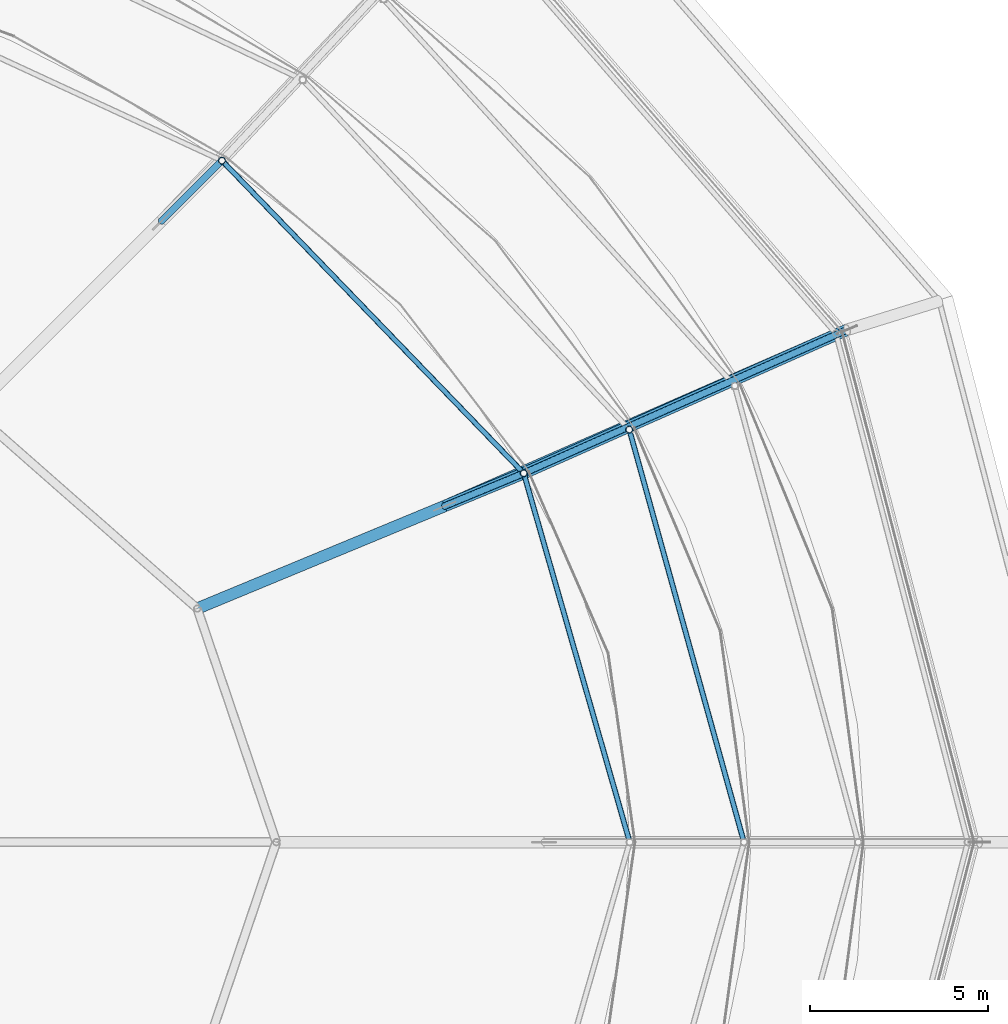
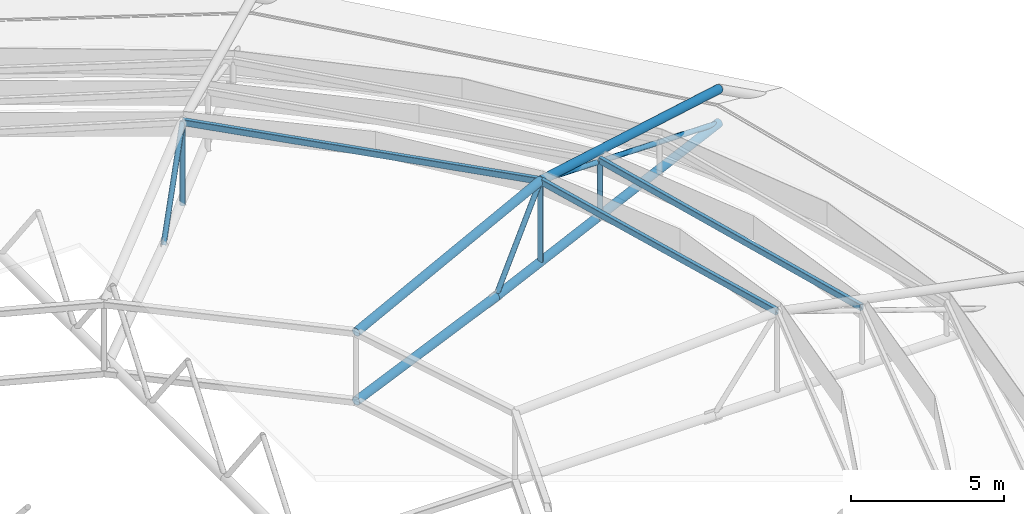
# One storey, part 37 of 134: 10 members, 3 beams.
"""IFC4 building model written with IfcOpenShell, lengths in metres."""

import ifcopenshell
import ifcopenshell.guid

model = None  # the IFC model being written
_history = None  # IfcOwnerHistory: only IFC2X3 demands one
_inside = {}  # id of a spatial element -> (the spatial element, [elements in it])
_under = {}  # id of a project, library or spatial element -> (it, [spatial elements below it])
_declared = {}  # id of a project -> (the project, [libraries it declares])
_typed = {}  # id of a type object -> (the type object, [elements of that type])
_made_of = {}  # id of a material, layer set ... -> (it, [elements and type objects made of it])


def new_model(schema):
    """Start an empty IFC model of exactly this schema.

    Asked for "IFC4X3", IfcOpenShell would pick the latest addendum, in which some entities
    have other attributes; the version numbers below select the first issue.
    IFC2X3 requires an IfcOwnerHistory on every rooted entity: one is made here for all.
    """
    global model, _history
    if schema == "IFC4X3":
        model = ifcopenshell.file(schema_version=(4, 3, 0, 0))
    else:
        model = ifcopenshell.file(schema=schema)
    _inside.clear()
    _under.clear()
    _declared.clear()
    _typed.clear()
    _made_of.clear()
    _history = None
    if model.schema == "IFC2X3":
        org = make("IfcOrganization", Name="unknown")
        user = make(
            "IfcPersonAndOrganization",
            ThePerson=make("IfcPerson", FamilyName="unknown"),
            TheOrganization=org,
        )
        app = make(
            "IfcApplication",
            ApplicationDeveloper=org,
            Version="unknown",
            ApplicationFullName="unknown",
            ApplicationIdentifier="unknown",
        )
        _history = make(
            "IfcOwnerHistory",
            OwningUser=user,
            OwningApplication=app,
            ChangeAction="ADDED",
            CreationDate=0,
        )
    return model


def make(cls, **values):
    """One entity of the class cls with the attributes given. An attribute that is None is left unset."""
    return model.create_entity(
        cls, **{name: value for name, value in values.items() if value is not None}
    )


def rooted(cls, **values):
    """An entity with a GlobalId (a new one), such as an element, a storey or a relation."""
    return make(cls, GlobalId=ifcopenshell.guid.new(), OwnerHistory=_history, **values)


def si_unit(unit_type, name, prefix=None):
    """IfcSIUnit, for example si_unit("LENGTHUNIT", "METRE", prefix="MILLI")."""
    return make("IfcSIUnit", UnitType=unit_type, Prefix=prefix, Name=name)


def derived_unit(unit_type, elements):
    """IfcDerivedUnit: a product of units, each with its exponent."""
    return make(
        "IfcDerivedUnit",
        Elements=[
            make("IfcDerivedUnitElement", Unit=unit, Exponent=power)
            for unit, power in elements
        ],
        UnitType=unit_type,
    )


def assignment(units):
    """IfcUnitAssignment: the units of a project."""
    return None if units is None else make("IfcUnitAssignment", Units=units)


def point(xyz):
    """IfcCartesianPoint."""
    return None if xyz is None else make("IfcCartesianPoint", Coordinates=xyz)


def direction(xyz):
    """IfcDirection."""
    return None if xyz is None else make("IfcDirection", DirectionRatios=xyz)


def frame(location, z_axis=None, x_axis=None):
    """IfcAxis2Placement3D, a coordinate frame: its origin and axes. An axis left out is left unset."""
    return make(
        "IfcAxis2Placement3D",
        Location=point(location),
        Axis=direction(z_axis),
        RefDirection=direction(x_axis),
    )


def frame_2d(location, x_axis=None):
    """IfcAxis2Placement2D, a coordinate frame in the plane: its origin and x axis."""
    return make(
        "IfcAxis2Placement2D", Location=point(location), RefDirection=direction(x_axis)
    )


def origin():
    """The frame at (0, 0, 0) with its axes left unset."""
    return frame((0.0, 0.0, 0.0))


def origin_2d():
    """The frame at (0, 0) in the plane with its x axis left unset."""
    return frame_2d((0.0, 0.0))


def place(relative_to, where):
    """IfcLocalPlacement: puts the frame where relative to a parent placement (None: the world)."""
    return make(
        "IfcLocalPlacement", PlacementRelTo=relative_to, RelativePlacement=where
    )


def context(
    kind, dimensions, precision=None, world=None, true_north=None, identifier=None
):
    """IfcGeometricRepresentationContext, for example the 3D "Model" context."""
    return make(
        "IfcGeometricRepresentationContext",
        ContextIdentifier=identifier,
        ContextType=kind,
        CoordinateSpaceDimension=dimensions,
        Precision=precision,
        WorldCoordinateSystem=world,
        TrueNorth=true_north,
    )


def subcontext(parent, identifier, kind, view, scale=None):
    """IfcGeometricRepresentationSubContext, for example "Body" below "Model"."""
    return make(
        "IfcGeometricRepresentationSubContext",
        ContextIdentifier=identifier,
        ContextType=kind,
        ParentContext=parent,
        TargetScale=scale,
        TargetView=view,
    )


def project(units=None, contexts=None):
    """IfcProject with its units and contexts."""
    return rooted(
        "IfcProject",
        Name="project",
        RepresentationContexts=contexts,
        UnitsInContext=assignment(units),
    )


def spatial(cls, under=None, at=None, **own):
    """A site, building, storey or space (cls), placed at a placement, below another one or the project."""
    s = rooted(cls, ObjectPlacement=at, **own)
    if under is not None:
        _under.setdefault(under.id(), (under, []))[1].append(s)
    return s


def profile(cls, at=None, kind="AREA", **sizes):
    """A parametric profile (cls). Its sizes go by their IFC names, for example OverallWidth=200.0."""
    return make(cls, ProfileType=kind, Position=at, **sizes)


def hollow_rectangle(**sizes):
    """IfcRectangleHollowProfileDef."""
    return profile("IfcRectangleHollowProfileDef", **sizes)


def hollow_circle(**sizes):
    """IfcCircleHollowProfileDef."""
    return profile("IfcCircleHollowProfileDef", **sizes)


def extrude(swept, where, along, depth):
    """IfcExtrudedAreaSolid: the profile swept, set in the frame where, extruded along a direction by depth."""
    return make(
        "IfcExtrudedAreaSolid",
        SweptArea=swept,
        Position=where,
        ExtrudedDirection=direction(along),
        Depth=depth,
    )


def shape(context_of_items, identifier, shape_type, items):
    """IfcShapeRepresentation: the items that make up one representation, for example the "Body"."""
    return make(
        "IfcShapeRepresentation",
        ContextOfItems=context_of_items,
        RepresentationIdentifier=identifier,
        RepresentationType=shape_type,
        Items=items,
    )


def material(Name=None, Category=None):
    """IfcMaterial."""
    return make("IfcMaterial", Name=Name, Category=Category)


def material_profile(
    of_material, cross_section, Name=None, Category=None, Priority=None
):
    """IfcMaterialProfile: a cross section and its material."""
    return make(
        "IfcMaterialProfile",
        Name=Name,
        Material=of_material,
        Profile=cross_section,
        Priority=Priority,
        Category=Category,
    )


def profile_set(profiles, Name=None, composite=None):
    """IfcMaterialProfileSet."""
    return make(
        "IfcMaterialProfileSet",
        Name=Name,
        MaterialProfiles=profiles,
        CompositeProfile=composite,
    )


def made_of(thing, what):
    """Note that an element or type object is made of a material, layer set ...; save() writes the relation."""
    if what is not None:
        _made_of.setdefault(what.id(), (what, []))[1].append(thing)
    return thing


def type_object(cls, material=None, **own):
    """A type object (cls), such as IfcWallType, which elements share."""
    return made_of(rooted(cls, **own), material)


def element(
    cls,
    number,
    at=None,
    inside=None,
    cuts=None,
    type_object=None,
    material=None,
    context=None,
    identifier="Body",
    shape_type=None,
    held_by="IfcProductDefinitionShape",
    body=None,
    shapes=None,
    **own,
):
    """One element of the class cls, such as IfcWall. Its Tag is "e" and its number.

    at: its placement. inside: the storey or other place that contains it. cuts: it is an
    opening in that element (IfcRelVoidsElement). A single representation is given by context,
    identifier, shape_type and body (its items); several are given by shapes. held_by: the class
    of the entity that holds the representations. save() writes the other relations.
    """
    e = rooted(cls, Tag="e%d" % number, ObjectPlacement=at, **own)
    if body is not None:
        shapes = [shape(context, identifier, shape_type, body)]
    if shapes is not None:
        e.Representation = make(held_by, Representations=shapes)
    if inside is not None:
        _inside.setdefault(inside.id(), (inside, []))[1].append(e)
    if cuts is not None:
        rooted(
            "IfcRelVoidsElement", RelatingBuildingElement=cuts, RelatedOpeningElement=e
        )
    if type_object is not None:
        _typed.setdefault(type_object.id(), (type_object, []))[1].append(e)
    return made_of(e, material)


def aggregate(whole, parts):
    """IfcRelAggregates: a whole, such as a stair, and the parts it consists of."""
    return rooted("IfcRelAggregates", RelatingObject=whole, RelatedObjects=parts)


def save(model, path):
    """Write the relations noted so far, then the file.

    IfcRelAggregates (storeys below a building ...), IfcRelContainedInSpatialStructure (elements
    in a storey), IfcRelDefinesByType, IfcRelAssociatesMaterial and IfcRelDeclares: one each for
    every whole, place, type object, material and project.
    """
    for whole, parts in _under.values():
        aggregate(whole, parts)
    for where, things in _inside.values():
        rooted(
            "IfcRelContainedInSpatialStructure",
            RelatedElements=things,
            RelatingStructure=where,
        )
    for kind, things in _typed.values():
        rooted("IfcRelDefinesByType", RelatedObjects=things, RelatingType=kind)
    for what, things in _made_of.values():
        rooted("IfcRelAssociatesMaterial", RelatedObjects=things, RelatingMaterial=what)
    for by, libraries in _declared.values():
        rooted("IfcRelDeclares", RelatingContext=by, RelatedDefinitions=libraries)
    model.write(path)


model = new_model("IFC4")

# Units and contexts
model_context = context("Model", 3, precision=1e-05, world=origin(), true_north=direction((0.0, 1.0)))
body_context = subcontext(model_context, "Body", "Model", "MODEL_VIEW")
ifc_project = project(units=[si_unit("LENGTHUNIT", "METRE"), si_unit("AREAUNIT", "SQUARE_METRE"), si_unit("VOLUMEUNIT", "CUBIC_METRE"), si_unit("PLANEANGLEUNIT", "RADIAN"), si_unit("MASSUNIT", "GRAM", prefix="KILO"), derived_unit("THERMALTRANSMITTANCEUNIT", [(si_unit("MASSUNIT", "GRAM", prefix="KILO"), 1), (si_unit("TIMEUNIT", "SECOND"), -3), (si_unit("THERMODYNAMICTEMPERATUREUNIT", "KELVIN"), -1)])], contexts=[model_context])

# Site, building, storey
site_placement = place(None, origin())
site = spatial("IfcSite", under=ifc_project, at=site_placement, CompositionType="ELEMENT")
building_placement = place(site_placement, origin())
building = spatial("IfcBuilding", under=site, at=building_placement, Name="Kharveza Railside Sports Centre", CompositionType="ELEMENT")
storey_placement = place(building_placement, frame((0.0, 0.0, 12.89990234375)))
storey = spatial("IfcBuildingStorey", under=building, at=storey_placement, Name="L03", CompositionType="ELEMENT", Elevation=12.89990234375)

# Beams
ifc_material = material(Name="Steel S355J2", Category="steel")
ifc_material_profile_1 = material_profile(ifc_material, hollow_rectangle(XDim=0.14990234375, YDim=0.25, WallThickness=0.010009765625, InnerFilletRadius=0.010009765625, OuterFilletRadius=0.02001953125, at=origin_2d()), Name="RHS 150x250x10.0")
ifc_profile_set_1 = profile_set([ifc_material_profile_1], Name="Steel S355J2")
beam_type = type_object("IfcBeamType", Name="BM-SP04", PredefinedType="SPANDREL", material=ifc_profile_set_1)
beam_1_placement = place(storey_placement, frame((96.800048828125, 50.39990234375, 2.30517578125), z_axis=(-0.267805518107, 0.963472991044, 0.0), x_axis=(-0.963472991044, -0.267805518107, 0.0)))
element("IfcBeam", 1, at=beam_1_placement, inside=storey, type_object=beam_type, Name="BM-LIDRING-S3-01", PredefinedType="SPANDREL", context=body_context, shape_type="SweptSolid", body=[
    extrude(hollow_rectangle(XDim=0.14990234375, YDim=0.25, WallThickness=0.010009765625, InnerFilletRadius=0.010009765625, OuterFilletRadius=0.02001953125, at=origin_2d()), origin(), (0.0, 0.0, 1.0), 11.995361328125),
])
beam_2_placement = place(storey_placement, frame((93.60009765625, 50.39990234375, 3.255126953125), z_axis=(-0.276148529404, 0.961114972159, 0.0), x_axis=(-0.961114972159, -0.276148529404, 0.0)))
element("IfcBeam", 2, at=beam_2_placement, inside=storey, type_object=beam_type, Name="BM-LIDRING-S4-01", PredefinedType="SPANDREL", context=body_context, shape_type="SweptSolid", body=[
    extrude(hollow_rectangle(XDim=0.14990234375, YDim=0.25, WallThickness=0.010009765625, InnerFilletRadius=0.010009765625, OuterFilletRadius=0.02001953125, at=origin_2d()), origin(), (0.0, 0.0, 1.0), 10.75048828125),
])
beam_3_placement = place(storey_placement, frame((90.63134765625, 60.732421875, 3.255126953125), z_axis=(-0.694451340821, 0.719539668977, 0.0), x_axis=(-0.719539668977, -0.694451340821, 0.0)))
element("IfcBeam", 3, at=beam_3_placement, inside=storey, type_object=beam_type, Name="BM-LIDRING-S4-02", PredefinedType="SPANDREL", context=body_context, shape_type="SweptSolid", body=[
    extrude(hollow_rectangle(XDim=0.14990234375, YDim=0.25, WallThickness=0.010009765625, InnerFilletRadius=0.010009765625, OuterFilletRadius=0.02001953125, at=origin_2d()), origin(), (0.0, 0.0, 1.0), 12.173828125),
])

# Members
ifc_material_profile_2 = material_profile(ifc_material, hollow_circle(Radius=0.161865234375, WallThickness=0.01611328125, at=origin_2d()), Name="CHS 323.9x16.0")
ifc_profile_set_2 = profile_set([ifc_material_profile_2], Name="Steel S355J2")
member_type_1 = type_object("IfcMemberType", Name="MB-CH02", PredefinedType="CHORD", material=ifc_profile_set_2)
member_1_placement = place(storey_placement, frame((81.48486328125, 56.94384765625, -0.0498046875), z_axis=(0.92388194159, 0.382677616283, 0.0), x_axis=(-0.382677616283, 0.92388194159, 0.0)))
element("IfcMember", 4, at=member_1_placement, inside=storey, type_object=member_type_1, Name="MB-OUT-BC1-02", PredefinedType="CHORD", context=body_context, shape_type="SweptSolid", body=[
    extrude(hollow_circle(Radius=0.161865234375, WallThickness=0.01611328125, at=origin_2d()), origin(), (0.0, 0.0, 1.0), 7.5),
])
member_2_placement = place(storey_placement, frame((88.4140625, 59.81396484375, -0.0498046875), z_axis=(0.915997428521, 0.401184135956, 0.0), x_axis=(-0.401184135956, 0.915997428521, 0.0)))
element("IfcMember", 5, at=member_2_placement, inside=storey, type_object=member_type_1, Name="MB-OUT-BC2-02", PredefinedType="CHORD", context=body_context, shape_type="SweptSolid", body=[
    extrude(hollow_circle(Radius=0.161865234375, WallThickness=0.01611328125, at=origin_2d()), origin(), (0.0, 0.0, 1.0), 12.304931640625),
])
member_3_placement = place(storey_placement, frame((81.48486328125, 56.94384765625, 2.7001953125), z_axis=(0.922458956943, 0.382092624756, 0.055449967196), x_axis=(-0.382681392697, 0.923880377367, 0.0)))
element("IfcMember", 6, at=member_3_placement, inside=storey, type_object=member_type_1, Name="MB-OUT-TC1-02", PredefinedType="CHORD", context=body_context, shape_type="SweptSolid", body=[
    extrude(hollow_circle(Radius=0.161865234375, WallThickness=0.01611328125, at=origin_2d()), origin(), (0.0, 0.0, 1.0), 9.915283203125),
])
member_4_placement = place(storey_placement, frame((90.63134765625, 60.732421875, 3.25), z_axis=(0.89682131677, 0.398001489319, -0.193148492842), x_axis=(-0.405639876127, 0.914032981295, 0.0)))
element("IfcMember", 7, at=member_4_placement, inside=storey, type_object=member_type_1, Name="MB-OUT-TC2-02", PredefinedType="CHORD", context=body_context, shape_type="SweptSolid", body=[
    extrude(hollow_circle(Radius=0.161865234375, WallThickness=0.01611328125, at=origin_2d()), origin(), (0.0, 0.0, 1.0), 10.095703125),
])
ifc_material_profile_3 = material_profile(ifc_material, hollow_circle(Radius=0.096923828125, WallThickness=0.010009765625, at=origin_2d()), Name="CHS 193.7x10.0")
ifc_profile_set_3 = profile_set([ifc_material_profile_3], Name="Steel S355J2")
member_type_2 = type_object("IfcMemberType", Name="MB-ST02", PredefinedType="STRUT", material=ifc_profile_set_3)
member_5_placement = place(storey_placement, frame((93.587646484375, 61.95703125, -0.0498046875), z_axis=(0.0, 0.0, 1.0), x_axis=(1.0, 0.0, 0.0)))
element("IfcMember", 8, at=member_5_placement, inside=storey, type_object=member_type_2, Name="MB-LIDPOST-S3-02", PredefinedType="STRUT", context=body_context, shape_type="SweptSolid", body=[
    extrude(hollow_circle(Radius=0.096923828125, WallThickness=0.010009765625, at=origin_2d()), origin(), (0.0, 0.0, 1.0), 2.35498046875),
])
for number, where, z_axis, x_axis, name in (
    (9, (90.63134765625, 60.732421875, -0.0498046875), (0.0, 0.0, 1.0), (1.0, 0.0, 0.0), "MB-LIDPOST-S4-02"),
    (10, (82.17724609375, 69.491943359375, -0.0498046875), (0.0, 0.0, 1.0), (1.0, 0.0, 0.0), "MB-LIDPOST-S4-03"),
):
    element("IfcMember", number, at=place(storey_placement, frame(where, z_axis=z_axis, x_axis=x_axis)), inside=storey, type_object=member_type_2, Name=name, PredefinedType="STRUT", context=body_context, shape_type="SweptSolid", body=[
        extrude(hollow_circle(Radius=0.096923828125, WallThickness=0.010009765625, at=origin_2d()), origin(), (0.0, 0.0, 1.0), 3.304931640625),
    ])
member_6_placement = place(storey_placement, frame((88.4140625, 59.81396484375, -0.0498046875), z_axis=(0.543415883206, 0.225096955805, 0.80872154563), x_axis=(-0.382693194178, 0.923875488976, 0.0)))
element("IfcMember", 11, at=member_6_placement, inside=storey, type_object=member_type_2, Name="MB-OUT-WEB-02-2", PredefinedType="STRUT", context=body_context, shape_type="SweptSolid", body=[
    extrude(hollow_circle(Radius=0.096923828125, WallThickness=0.010009765625, at=origin_2d()), origin(), (0.0, 0.0, 1.0), 4.080322265625),
])
member_7_placement = place(storey_placement, frame((90.63134765625, 60.732421875, 3.25), z_axis=(0.867181101303, 0.384847419853, -0.316052845226), x_axis=(-0.405639876127, 0.914032981295, 0.0)))
element("IfcMember", 12, at=member_7_placement, inside=storey, type_object=member_type_2, Name="MB-OUT-WEB-02-3", PredefinedType="STRUT", context=body_context, shape_type="SweptSolid", body=[
    extrude(hollow_circle(Radius=0.096923828125, WallThickness=0.010009765625, at=origin_2d()), origin(), (0.0, 0.0, 1.0), 10.440673828125),
])
member_8_placement = place(storey_placement, frame((80.47998046875, 67.794921875, -0.0498046875), z_axis=(0.415960202023, 0.415900368853, 0.808705133853), x_axis=(-0.707055919343, 0.707157639372, 0.0)))
element("IfcMember", 13, at=member_8_placement, inside=storey, type_object=member_type_2, Name="MB-OUT-WEB-03-2", PredefinedType="STRUT", context=body_context, shape_type="SweptSolid", body=[
    extrude(hollow_circle(Radius=0.096923828125, WallThickness=0.010009765625, at=origin_2d()), origin(), (0.0, 0.0, 1.0), 4.080322265625),
])

save(model, "model.ifc")
